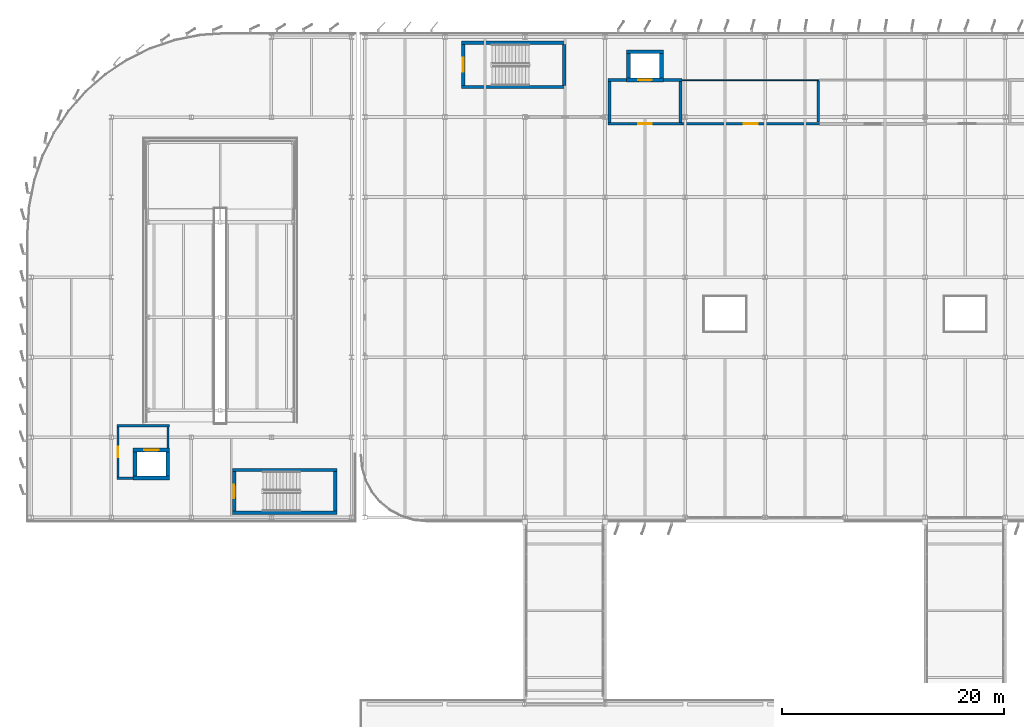
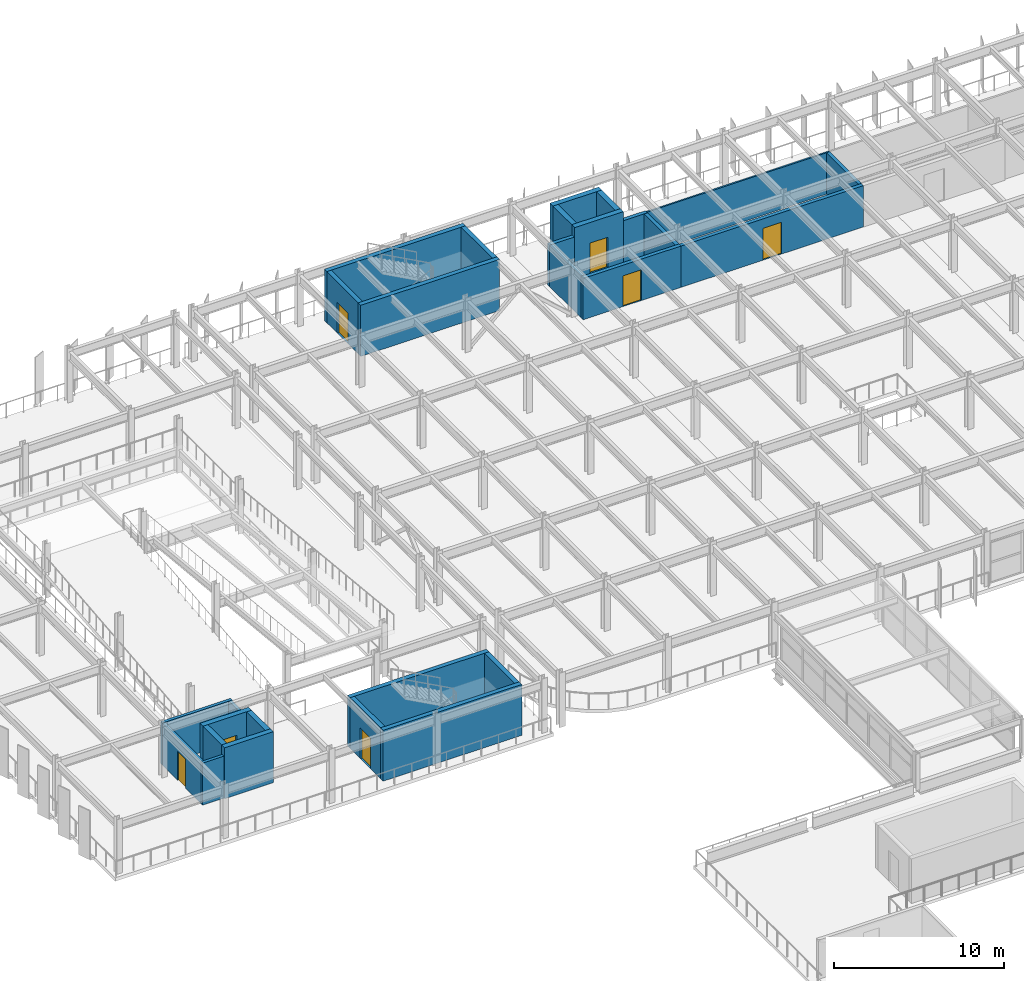
# One storey, part 65 of 93: 28 walls, 7 doors, 7 openings.
"""IFC4 building model written with IfcOpenShell, lengths in metres."""

from ifc_helpers import new_model, si_unit, direction, frame, frame_2d, origin, place, context, subcontext, project, spatial, rectangle, extrude, material, layer, layer_set, type_object, element, fill, save


model = new_model("IFC4")

# Units and contexts
model_context = context("Model", 3, precision=1e-05, world=origin(), true_north=direction((0.0, 1.0)))
body_context = subcontext(model_context, "Body", "Model", "MODEL_VIEW")
ifc_project = project(units=[si_unit("LENGTHUNIT", "METRE"), si_unit("AREAUNIT", "SQUARE_METRE"), si_unit("VOLUMEUNIT", "CUBIC_METRE"), si_unit("PLANEANGLEUNIT", "RADIAN"), si_unit("MASSUNIT", "GRAM", prefix="KILO")], contexts=[model_context])

# Site, building, storey
site_placement = place(None, origin())
site = spatial("IfcSite", under=ifc_project, at=site_placement, CompositionType="ELEMENT")
building_placement = place(site_placement, origin())
building = spatial("IfcBuilding", under=site, at=building_placement, Name="Vaelcorin Mobility Hub", CompositionType="ELEMENT")
storey_placement = place(building_placement, frame((0.0, 0.0, 5.39990234375)))
storey = spatial("IfcBuildingStorey", under=building, at=storey_placement, Name="L01", CompositionType="ELEMENT", Elevation=5.39990234375)

# Walls
ifc_material_1 = material(Name="Reinforced concrete f'c 45 MPa", Category="concrete")
ifc_layer_1 = layer(ifc_material_1, 0.300048828125)
ifc_layer_set_1 = layer_set([ifc_layer_1], Name="Reinforced concrete f'c 45 MPa")
wall_type_1 = type_object("IfcWallType", Name="WL-CORE-300", PredefinedType="SOLIDWALL", material=ifc_layer_set_1)
for number, where, z_axis, x_axis, name in (
    (1, (33.5, 77.199951171875, 0.0), (0.0, 0.0, 1.0), (-1.0, 0.0, 0.0), "ST1 Fire Core Wall L01 South"),
    (2, (24.10009765625, 81.06005859375, 0.0), (0.0, 0.0, 1.0), (1.0, 0.0, 0.0), "ST1 Fire Core Wall L01 North"),
):
    element("IfcWall", number, at=place(storey_placement, frame(where, z_axis=z_axis, x_axis=x_axis)), inside=storey, type_object=wall_type_1, Name=name, PredefinedType="SOLIDWALL", context=body_context, shape_type="SweptSolid", body=[
        extrude(rectangle(XDim=9.39990234375, YDim=0.300048828125, at=frame_2d((4.699951171875, 0.0))), origin(), (0.0, 0.0, 1.0), 3.650146484375),
    ])

# Wall, opening, door
wall_1_placement = place(storey_placement, frame((24.25, 77.35009765625, 0.0), z_axis=(0.0, 0.0, 1.0), x_axis=(0.0, 1.0, 0.0)))
wall_1 = element("IfcWall", 3, at=wall_1_placement, inside=storey, type_object=wall_type_1, Name="ST1 Fire Core Wall L01 West", PredefinedType="SOLIDWALL", context=body_context, shape_type="SweptSolid", body=[
    extrude(rectangle(XDim=3.559814453125, YDim=0.300048828125, at=frame_2d((1.77978515625, 0.0))), origin(), (0.0, 0.0, 1.0), 3.650146484375),
])
opening_1_placement = place(wall_1_placement, frame((1.179931640625, 0.0, 0.0)))
opening_1 = element("IfcOpeningElement", 4, at=opening_1_placement, cuts=wall_1, Name="Opening SD01", PredefinedType="OPENING", context=body_context, shape_type="SweptSolid", body=[
    extrude(rectangle(XDim=1.199951171875, YDim=2.199951171875, at=frame_2d((0.60009765625, 1.10009765625))), frame((0.0, 0.159912109375, 0.0), z_axis=(0.0, -1.0, 0.0), x_axis=(1.0, 0.0, 0.0)), (0.0, 0.0, 1.0), 0.320068359375),
])
ifc_material_2 = material(Name="Hollow-metal insulated steel fire door", Category="steel")
door_type_1 = type_object("IfcDoorType", Name="DR-STAIR-90", OperationType="NOTDEFINED", PredefinedType="DOOR", material=ifc_material_2)
door_1_placement = place(opening_1_placement, origin())
door_1 = element("IfcDoor", 5, at=door_1_placement, inside=storey, type_object=door_type_1, Name="ST1 Protected Stair Door L01", OperationType="SINGLE_SWING_RIGHT", OverallHeight=2.199951171875, OverallWidth=1.199951171875, PredefinedType="DOOR", context=body_context, shape_type="SweptSolid", body=[
    extrude(rectangle(XDim=1.199951171875, YDim=2.199951171875, at=frame_2d((0.60009765625, 1.10009765625))), frame((0.0, 0.02490234375, 0.0), z_axis=(0.0, -1.0, 0.0), x_axis=(1.0, 0.0, 0.0)), (0.0, 0.0, 1.0), 0.050048828125),
])
fill(opening_1, door_1)

# Walls
wall_2_placement = place(storey_placement, frame((33.35009765625, 80.909912109375, 0.0), z_axis=(0.0, 0.0, 1.0), x_axis=(0.0, -1.0, 0.0)))
element("IfcWall", 6, at=wall_2_placement, inside=storey, type_object=wall_type_1, Name="ST1 Fire Core Wall L01 East", PredefinedType="SOLIDWALL", context=body_context, shape_type="SweptSolid", body=[
    extrude(rectangle(XDim=3.559814453125, YDim=0.300048828125, at=frame_2d((1.77978515625, 0.0))), origin(), (0.0, 0.0, 1.0), 3.650146484375),
])
for number, where, z_axis, x_axis, name in (
    (7, (54.10009765625, 115.5, 0.0), (0.0, 0.0, 1.0), (-1.0, 0.0, 0.0), "ST3 Fire Core Wall L01 South"),
    (8, (44.699951171875, 119.47998046875, 0.0), (0.0, 0.0, 1.0), (1.0, 0.0, 0.0), "ST3 Fire Core Wall L01 North"),
):
    element("IfcWall", number, at=place(storey_placement, frame(where, z_axis=z_axis, x_axis=x_axis)), inside=storey, type_object=wall_type_1, Name=name, PredefinedType="SOLIDWALL", context=body_context, shape_type="SweptSolid", body=[
        extrude(rectangle(XDim=9.400146484375, YDim=0.300048828125, at=frame_2d((4.7001953125, 0.0))), origin(), (0.0, 0.0, 1.0), 3.670166015625),
    ])

# Wall, opening, door
wall_3_placement = place(storey_placement, frame((44.85009765625, 115.64990234375, 0.0), z_axis=(0.0, 0.0, 1.0), x_axis=(0.0, 1.0, 0.0)))
wall_3 = element("IfcWall", 9, at=wall_3_placement, inside=storey, type_object=wall_type_1, Name="ST3 Fire Core Wall L01 West", PredefinedType="SOLIDWALL", context=body_context, shape_type="SweptSolid", body=[
    extrude(rectangle(XDim=3.68017578125, YDim=0.300048828125, at=frame_2d((1.840087890625, 0.0))), origin(), (0.0, 0.0, 1.0), 3.670166015625),
])
opening_2_placement = place(wall_3_placement, frame((1.215087890625, 0.0, 0.0)))
opening_2 = element("IfcOpeningElement", 10, at=opening_2_placement, cuts=wall_3, Name="Opening SD02", PredefinedType="OPENING", context=body_context, shape_type="SweptSolid", body=[
    extrude(rectangle(XDim=1.25, YDim=2.199951171875, at=frame_2d((0.625, 1.10009765625))), frame((0.0, 0.159912109375, 0.0), z_axis=(0.0, -1.0, 0.0), x_axis=(1.0, 0.0, 0.0)), (0.0, 0.0, 1.0), 0.320068359375),
])
door_type_2 = type_object("IfcDoorType", Name="DR-STAIR-FF", OperationType="NOTDEFINED", PredefinedType="DOOR", material=ifc_material_2)
door_2_placement = place(opening_2_placement, origin())
door_2 = element("IfcDoor", 11, at=door_2_placement, inside=storey, type_object=door_type_2, Name="ST3 Protected Stair Door L01", OperationType="SINGLE_SWING_RIGHT", OverallHeight=2.199951171875, OverallWidth=1.25, PredefinedType="DOOR", context=body_context, shape_type="SweptSolid", body=[
    extrude(rectangle(XDim=1.25, YDim=2.199951171875, at=frame_2d((0.625, 1.10009765625))), frame((0.0, 0.02490234375, 0.0), z_axis=(0.0, -1.0, 0.0), x_axis=(1.0, 0.0, 0.0)), (0.0, 0.0, 1.0), 0.050048828125),
])
fill(opening_2, door_2)

# Walls
wall_4_placement = place(storey_placement, frame((53.949951171875, 119.330078125, 0.0), z_axis=(0.0, 0.0, 1.0), x_axis=(0.0, -1.0, 0.0)))
element("IfcWall", 12, at=wall_4_placement, inside=storey, type_object=wall_type_1, Name="ST3 Fire Core Wall L01 East", PredefinedType="SOLIDWALL", context=body_context, shape_type="SweptSolid", body=[
    extrude(rectangle(XDim=3.68017578125, YDim=0.300048828125, at=frame_2d((1.840087890625, 0.0))), origin(), (0.0, 0.0, 1.0), 3.670166015625),
])
ifc_material_3 = material(Name="Fire-rated acoustic steel-stud gypsum board", Category="steel")
ifc_layer_2 = layer(ifc_material_3, 0.110107421875)
ifc_layer_set_2 = layer_set([ifc_layer_2], Name="Fire-rated acoustic steel-stud gypsum board")
wall_type_2 = type_object("IfcWallType", Name="WL-PART-110", PredefinedType="PARTITIONING", material=ifc_layer_set_2)
wall_5_placement = place(storey_placement, frame((64.527099609375, 116.125, 0.0), z_axis=(0.0, 0.0, 1.0), x_axis=(1.0, 0.0, 0.0)))
element("IfcWall", 13, at=wall_5_placement, inside=storey, type_object=wall_type_2, Name="EV Charger Substation L01 Partition North", PredefinedType="PARTITIONING", context=body_context, shape_type="SweptSolid", body=[
    extrude(rectangle(XDim=12.352783203125, YDim=0.110107421875, at=frame_2d((6.17626953125, 0.0))), origin(), (0.0, 0.0, 1.0), 2.967041015625),
])
ifc_material_4 = material(Name="Reinforced acoustic concrete masonry C30/37", Category="masonry")
ifc_layer_3 = layer(ifc_material_4, 0.205078125)
ifc_layer_set_3 = layer_set([ifc_layer_3], Name="Reinforced acoustic concrete masonry C30/37")
wall_type_3 = type_object("IfcWallType", Name="WL-PART-205", PredefinedType="PARTITIONING", material=ifc_layer_set_3)
wall_6_placement = place(storey_placement, frame((13.697998046875, 85.050048828125, 0.0), z_axis=(0.0, 0.0, 1.0), x_axis=(1.0, 0.0, 0.0)))
element("IfcWall", 14, at=wall_6_placement, inside=storey, type_object=wall_type_3, Name="West Drum Lift Lobby L01 Partition North", PredefinedType="PARTITIONING", context=body_context, shape_type="SweptSolid", body=[
    extrude(rectangle(XDim=4.751953125, YDim=0.205078125, at=frame_2d((2.3759765625, 0.0))), origin(), (0.0, 0.0, 1.0), 3.01806640625),
])
wall_7_placement = place(storey_placement, frame((15.14794921875, 80.324951171875, 0.0), z_axis=(0.0, 0.0, 1.0), x_axis=(-1.0, 0.0, 0.0)))
element("IfcWall", 15, at=wall_7_placement, inside=storey, type_object=wall_type_3, Name="West Drum Lift Lobby L01 Return Wall South", PredefinedType="PARTITIONING", context=body_context, shape_type="SweptSolid", body=[
    extrude(rectangle(XDim=1.449951171875, YDim=0.205078125, at=frame_2d((0.72509765625, 0.0))), origin(), (0.0, 0.0, 1.0), 3.01806640625),
])

# Wall, opening, door
wall_8_placement = place(storey_placement, frame((13.800048828125, 80.429931640625, 0.0), z_axis=(0.0, 0.0, 1.0), x_axis=(0.0, 1.0, 0.0)))
wall_8 = element("IfcWall", 16, at=wall_8_placement, inside=storey, type_object=wall_type_3, Name="West Drum Lift Lobby L01 Partition West", PredefinedType="PARTITIONING", context=body_context, shape_type="SweptSolid", body=[
    extrude(rectangle(XDim=4.51611328125, YDim=0.205078125, at=frame_2d((2.258056640625, 0.0))), origin(), (0.0, 0.0, 1.0), 3.01806640625),
])
opening_3_placement = place(wall_8_placement, frame((1.7880859375, 0.0, 0.0)))
opening_3 = element("IfcOpeningElement", 17, at=opening_3_placement, cuts=wall_8, Name="Opening ID02", PredefinedType="OPENING", context=body_context, shape_type="SweptSolid", body=[
    extrude(rectangle(XDim=0.93994140625, YDim=2.10009765625, at=frame_2d((0.469970703125, 1.050048828125))), frame((0.0, 0.112548828125, 0.0), z_axis=(0.0, -1.0, 0.0), x_axis=(1.0, 0.0, 0.0)), (0.0, 0.0, 1.0), 0.22509765625),
])
ifc_material_5 = material(Name="Solid-core hardwood fire door assembly", Category="wood")
door_type_3 = type_object("IfcDoorType", Name="DR-INT-02", OperationType="NOTDEFINED", PredefinedType="DOOR", material=ifc_material_5)
door_3_placement = place(opening_3_placement, origin())
door_3 = element("IfcDoor", 18, at=door_3_placement, inside=storey, type_object=door_type_3, Name="West Drum Lift Lobby L01 Door", OperationType="SINGLE_SWING_LEFT", OverallHeight=2.10009765625, OverallWidth=0.93994140625, PredefinedType="DOOR", context=body_context, shape_type="SweptSolid", body=[
    extrude(rectangle(XDim=0.93994140625, YDim=2.10009765625, at=frame_2d((0.469970703125, 1.050048828125))), frame((0.0, 0.02490234375, 0.0), z_axis=(0.0, -1.0, 0.0), x_axis=(1.0, 0.0, 0.0)), (0.0, 0.0, 1.0), 0.050048828125),
])
fill(opening_3, door_3)

# Walls
wall_9_placement = place(storey_placement, frame((18.300048828125, 84.946044921875, 0.0), z_axis=(0.0, 0.0, 1.0), x_axis=(0.0, -1.0, 0.0)))
element("IfcWall", 19, at=wall_9_placement, inside=storey, type_object=wall_type_3, Name="West Drum Lift Lobby L01 Return Wall East", PredefinedType="PARTITIONING", context=body_context, shape_type="SweptSolid", body=[
    extrude(rectangle(XDim=1.89404296875, YDim=0.205078125, at=frame_2d((0.947021484375, 0.0))), origin(), (0.0, 0.0, 1.0), 3.01806640625),
])
ifc_layer_4 = layer(ifc_material_4, 0.22509765625)
ifc_layer_set_4 = layer_set([ifc_layer_4], Name="Reinforced acoustic concrete masonry C30/37")
wall_type_4 = type_object("IfcWallType", Name="WL-PART-225", PredefinedType="PARTITIONING", material=ifc_layer_set_4)
wall_10_placement = place(storey_placement, frame((76.800048828125, 116.06591796875, 0.0), z_axis=(0.0, 0.0, 1.0), x_axis=(0.0, -1.0, 0.0)))
element("IfcWall", 20, at=wall_10_placement, inside=storey, type_object=wall_type_4, Name="EV Charger Substation L01 Partition East", PredefinedType="PARTITIONING", context=body_context, shape_type="SweptSolid", body=[
    extrude(rectangle(XDim=3.72900390625, YDim=0.22509765625, at=frame_2d((1.864501953125, 0.0))), origin(), (0.0, 0.0, 1.0), 2.967041015625),
])

# Wall, opening, door
ifc_layer_5 = layer(ifc_material_4, 0.25)
ifc_layer_set_5 = layer_set([ifc_layer_5], Name="Reinforced acoustic concrete masonry C30/37")
wall_type_5 = type_object("IfcWallType", Name="WL-PART-250", PredefinedType="PARTITIONING", material=ifc_layer_set_5)
wall_11_placement = place(storey_placement, frame((64.52490234375, 112.199951171875, 0.0), z_axis=(0.0, 0.0, 1.0), x_axis=(-1.0, 0.0, 0.0)))
wall_11 = element("IfcWall", 21, at=wall_11_placement, inside=storey, type_object=wall_type_5, Name="Firefighting Lobby West L01 Partition South", PredefinedType="PARTITIONING", context=body_context, shape_type="SweptSolid", body=[
    extrude(rectangle(XDim=6.64990234375, YDim=0.25, at=frame_2d((3.324951171875, 0.0))), origin(), (0.0, 0.0, 1.0), 2.967041015625),
])
opening_4_placement = place(wall_11_placement, frame((2.699951171875, 0.0, 0.0)))
opening_4 = element("IfcOpeningElement", 22, at=opening_4_placement, cuts=wall_11, Name="Opening SD02", PredefinedType="OPENING", context=body_context, shape_type="SweptSolid", body=[
    extrude(rectangle(XDim=1.25, YDim=2.199951171875, at=frame_2d((0.625, 1.10009765625))), frame((0.0, 0.135009765625, 0.0), z_axis=(0.0, -1.0, 0.0), x_axis=(1.0, 0.0, 0.0)), (0.0, 0.0, 1.0), 0.27001953125),
])
door_4_placement = place(opening_4_placement, origin())
door_4 = element("IfcDoor", 23, at=door_4_placement, inside=storey, type_object=door_type_2, Name="Firefighting Lobby West L01 Door", OperationType="SINGLE_SWING_LEFT", OverallHeight=2.199951171875, OverallWidth=1.25, PredefinedType="DOOR", context=body_context, shape_type="SweptSolid", body=[
    extrude(rectangle(XDim=1.25, YDim=2.199951171875, at=frame_2d((0.625, 1.10009765625))), frame((0.0, 0.02490234375, 0.0), z_axis=(0.0, -1.0, 0.0), x_axis=(1.0, 0.0, 0.0)), (0.0, 0.0, 1.0), 0.050048828125),
])
fill(opening_4, door_4)

# Walls
wall_12_placement = place(storey_placement, frame((57.875, 116.125, 0.0), z_axis=(0.0, 0.0, 1.0), x_axis=(1.0, 0.0, 0.0)))
element("IfcWall", 24, at=wall_12_placement, inside=storey, type_object=wall_type_5, Name="Firefighting Lobby West L01 Return Wall NW", PredefinedType="PARTITIONING", context=body_context, shape_type="SweptSolid", body=[
    extrude(rectangle(XDim=1.673095703125, YDim=0.25, at=frame_2d((0.83642578125, 0.0))), origin(), (0.0, 0.0, 1.0), 2.967041015625),
])
wall_13_placement = place(storey_placement, frame((62.85205078125, 116.125, 0.0), z_axis=(0.0, 0.0, 1.0), x_axis=(1.0, 0.0, 0.0)))
element("IfcWall", 25, at=wall_13_placement, inside=storey, type_object=wall_type_5, Name="Firefighting Lobby West L01 Return Wall NE", PredefinedType="PARTITIONING", context=body_context, shape_type="SweptSolid", body=[
    extrude(rectangle(XDim=1.6728515625, YDim=0.25, at=frame_2d((0.83642578125, 0.0))), origin(), (0.0, 0.0, 1.0), 2.967041015625),
])
for number, where, z_axis, x_axis, name in (
    (26, (58.0, 112.326904296875, 0.0), (0.0, 0.0, 1.0), (0.0, 1.0, 0.0), "Firefighting Lobby West L01 Partition West"),
    (27, (64.39990234375, 115.998046875, 0.0), (0.0, 0.0, 1.0), (0.0, -1.0, 0.0), "Firefighting Lobby West L01 Partition East"),
):
    element("IfcWall", number, at=place(storey_placement, frame(where, z_axis=z_axis, x_axis=x_axis)), inside=storey, type_object=wall_type_5, Name=name, PredefinedType="PARTITIONING", context=body_context, shape_type="SweptSolid", body=[
        extrude(rectangle(XDim=3.671142578125, YDim=0.25, at=frame_2d((1.83544921875, 0.0))), origin(), (0.0, 0.0, 1.0), 2.967041015625),
    ])

# Wall, opening, door
wall_14_placement = place(storey_placement, frame((76.8798828125, 112.199951171875, 0.0), z_axis=(0.0, 0.0, 1.0), x_axis=(-1.0, 0.0, 0.0)))
wall_14 = element("IfcWall", 28, at=wall_14_placement, inside=storey, type_object=wall_type_5, Name="EV Charger Substation L01 Partition South", PredefinedType="PARTITIONING", context=body_context, shape_type="SweptSolid", body=[
    extrude(rectangle(XDim=12.352783203125, YDim=0.25, at=frame_2d((6.17626953125, 0.0))), origin(), (0.0, 0.0, 1.0), 2.967041015625),
])
opening_5_placement = place(wall_14_placement, frame((5.535888671875, 0.0, 0.0)))
opening_5 = element("IfcOpeningElement", 29, at=opening_5_placement, cuts=wall_14, Name="Opening ID38", PredefinedType="OPENING", context=body_context, shape_type="SweptSolid", body=[
    extrude(rectangle(XDim=1.280029296875, YDim=2.280029296875, at=frame_2d((0.64013671875, 1.14013671875))), frame((0.0, 0.135009765625, 0.0), z_axis=(0.0, -1.0, 0.0), x_axis=(1.0, 0.0, 0.0)), (0.0, 0.0, 1.0), 0.27001953125),
])
door_type_4 = type_object("IfcDoorType", Name="DR-INT-38", OperationType="NOTDEFINED", PredefinedType="DOOR", material=ifc_material_5)
door_5_placement = place(opening_5_placement, origin())
door_5 = element("IfcDoor", 30, at=door_5_placement, inside=storey, type_object=door_type_4, Name="EV Charger Substation L01 Door", OperationType="SINGLE_SWING_RIGHT", OverallHeight=2.280029296875, OverallWidth=1.280029296875, PredefinedType="DOOR", context=body_context, shape_type="SweptSolid", body=[
    extrude(rectangle(XDim=1.280029296875, YDim=2.280029296875, at=frame_2d((0.64013671875, 1.14013671875))), frame((0.0, 0.02490234375, 0.0), z_axis=(0.0, -1.0, 0.0), x_axis=(1.0, 0.0, 0.0)), (0.0, 0.0, 1.0), 0.050048828125),
])
fill(opening_5, door_5)

ifc_layer_6 = layer(ifc_material_1, 0.35009765625)
ifc_layer_set_6 = layer_set([ifc_layer_6], Name="Reinforced concrete f'c 45 MPa")
wall_type_6 = type_object("IfcWallType", Name="WL-SHEAR-350", PredefinedType="SHEAR", material=ifc_layer_set_6)
wall_15_placement = place(storey_placement, frame((62.85009765625, 116.125, 0.0), z_axis=(0.0, 0.0, 1.0), x_axis=(-1.0, 0.0, 0.0)))
wall_15 = element("IfcWall", 31, at=wall_15_placement, inside=storey, type_object=wall_type_6, Name="LF1 Lift Shaft Shear Wall L01 South", PredefinedType="SHEAR", context=body_context, shape_type="SweptSolid", body=[
    extrude(rectangle(XDim=3.300048828125, YDim=0.35009765625, at=frame_2d((1.64990234375, 0.0))), origin(), (0.0, 0.0, 1.0), 3.670166015625),
])
opening_6_placement = place(wall_15_placement, frame((1.050048828125, 0.0, 0.0)))
opening_6 = element("IfcOpeningElement", 32, at=opening_6_placement, cuts=wall_15, Name="Opening LD1", PredefinedType="OPENING", context=body_context, shape_type="SweptSolid", body=[
    extrude(rectangle(XDim=1.199951171875, YDim=2.199951171875, at=frame_2d((0.60009765625, 1.10009765625))), frame((0.0, 0.18505859375, 0.0), z_axis=(0.0, -1.0, 0.0), x_axis=(1.0, 0.0, 0.0)), (0.0, 0.0, 1.0), 0.3701171875),
])
ifc_material_6 = material(Name="Brushed stainless steel 316L", Category="steel")
door_type_5 = type_object("IfcDoorType", Name="DR-LIFT-LD1", OperationType="NOTDEFINED", PredefinedType="DOOR", material=ifc_material_6)
door_6_placement = place(opening_6_placement, origin())
door_6 = element("IfcDoor", 33, at=door_6_placement, inside=storey, type_object=door_type_5, Name="LF1 Lift Landing Sliding Door L01", OperationType="DOUBLE_DOOR_SLIDING", OverallHeight=2.199951171875, OverallWidth=1.199951171875, PredefinedType="DOOR", context=body_context, shape_type="SweptSolid", body=[
    extrude(rectangle(XDim=1.199951171875, YDim=2.199951171875, at=frame_2d((0.60009765625, 1.10009765625))), frame((0.0, 0.02490234375, 0.0), z_axis=(0.0, -1.0, 0.0), x_axis=(1.0, 0.0, 0.0)), (0.0, 0.0, 1.0), 0.050048828125),
])
fill(opening_6, door_6)

# Walls
wall_16_placement = place(storey_placement, frame((59.550048828125, 118.675048828125, 0.0), z_axis=(0.0, 0.0, 1.0), x_axis=(1.0, 0.0, 0.0)))
element("IfcWall", 34, at=wall_16_placement, inside=storey, type_object=wall_type_6, Name="LF1 Lift Shaft Shear Wall L01 North", PredefinedType="SHEAR", context=body_context, shape_type="SweptSolid", body=[
    extrude(rectangle(XDim=3.300048828125, YDim=0.35009765625, at=frame_2d((1.64990234375, 0.0))), origin(), (0.0, 0.0, 1.0), 3.670166015625),
])
for number, where, z_axis, x_axis, name in (
    (35, (59.72509765625, 116.300048828125, 0.0), (0.0, 0.0, 1.0), (0.0, 1.0, 0.0), "LF1 Lift Shaft Shear Wall L01 West"),
    (36, (62.675048828125, 118.5, 0.0), (0.0, 0.0, 1.0), (0.0, -1.0, 0.0), "LF1 Lift Shaft Shear Wall L01 East"),
):
    element("IfcWall", number, at=place(storey_placement, frame(where, z_axis=z_axis, x_axis=x_axis)), inside=storey, type_object=wall_type_6, Name=name, PredefinedType="SHEAR", context=body_context, shape_type="SweptSolid", body=[
        extrude(rectangle(XDim=2.199951171875, YDim=0.35009765625, at=frame_2d((1.10009765625, 0.0))), origin(), (0.0, 0.0, 1.0), 3.670166015625),
    ])
wall_17_placement = place(storey_placement, frame((18.449951171875, 80.324951171875, 0.0), z_axis=(0.0, 0.0, 1.0), x_axis=(-1.0, 0.0, 0.0)))
element("IfcWall", 37, at=wall_17_placement, inside=storey, type_object=wall_type_6, Name="LF4 Lift Shaft Shear Wall L01 South", PredefinedType="SHEAR", context=body_context, shape_type="SweptSolid", body=[
    extrude(rectangle(XDim=3.300048828125, YDim=0.35009765625, at=frame_2d((1.64990234375, 0.0))), origin(), (0.0, 0.0, 1.0), 3.650146484375),
])

# Wall, opening, door
wall_18_placement = place(storey_placement, frame((15.14990234375, 82.875, 0.0), z_axis=(0.0, 0.0, 1.0), x_axis=(1.0, 0.0, 0.0)))
wall_18 = element("IfcWall", 38, at=wall_18_placement, inside=storey, type_object=wall_type_6, Name="LF4 Lift Shaft Shear Wall L01 North", PredefinedType="SHEAR", context=body_context, shape_type="SweptSolid", body=[
    extrude(rectangle(XDim=3.300048828125, YDim=0.35009765625, at=frame_2d((1.64990234375, 0.0))), origin(), (0.0, 0.0, 1.0), 3.650146484375),
])
opening_7_placement = place(wall_18_placement, frame((1.0, 0.0, 0.0)))
opening_7 = element("IfcOpeningElement", 39, at=opening_7_placement, cuts=wall_18, Name="Opening LD2", PredefinedType="OPENING", context=body_context, shape_type="SweptSolid", body=[
    extrude(rectangle(XDim=1.300048828125, YDim=2.199951171875, at=frame_2d((0.64990234375, 1.10009765625))), frame((0.0, 0.18505859375, 0.0), z_axis=(0.0, -1.0, 0.0), x_axis=(1.0, 0.0, 0.0)), (0.0, 0.0, 1.0), 0.3701171875),
])
door_type_6 = type_object("IfcDoorType", Name="DR-LIFT-LD2", OperationType="NOTDEFINED", PredefinedType="DOOR", material=ifc_material_6)
door_7_placement = place(opening_7_placement, origin())
door_7 = element("IfcDoor", 40, at=door_7_placement, inside=storey, type_object=door_type_6, Name="LF4 Lift Landing Sliding Door L01", OperationType="DOUBLE_DOOR_SLIDING", OverallHeight=2.199951171875, OverallWidth=1.300048828125, PredefinedType="DOOR", context=body_context, shape_type="SweptSolid", body=[
    extrude(rectangle(XDim=1.300048828125, YDim=2.199951171875, at=frame_2d((0.64990234375, 1.10009765625))), frame((0.0, 0.02490234375, 0.0), z_axis=(0.0, -1.0, 0.0), x_axis=(1.0, 0.0, 0.0)), (0.0, 0.0, 1.0), 0.050048828125),
])
fill(opening_7, door_7)

# Walls
for number, where, z_axis, x_axis, name in (
    (41, (15.324951171875, 80.5, 0.0), (0.0, 0.0, 1.0), (0.0, 1.0, 0.0), "LF4 Lift Shaft Shear Wall L01 West"),
    (42, (18.27490234375, 82.699951171875, 0.0), (0.0, 0.0, 1.0), (0.0, -1.0, 0.0), "LF4 Lift Shaft Shear Wall L01 East"),
):
    element("IfcWall", number, at=place(storey_placement, frame(where, z_axis=z_axis, x_axis=x_axis)), inside=storey, type_object=wall_type_6, Name=name, PredefinedType="SHEAR", context=body_context, shape_type="SweptSolid", body=[
        extrude(rectangle(XDim=2.199951171875, YDim=0.35009765625, at=frame_2d((1.10009765625, 0.0))), origin(), (0.0, 0.0, 1.0), 3.650146484375),
    ])

save(model, "model.ifc")
